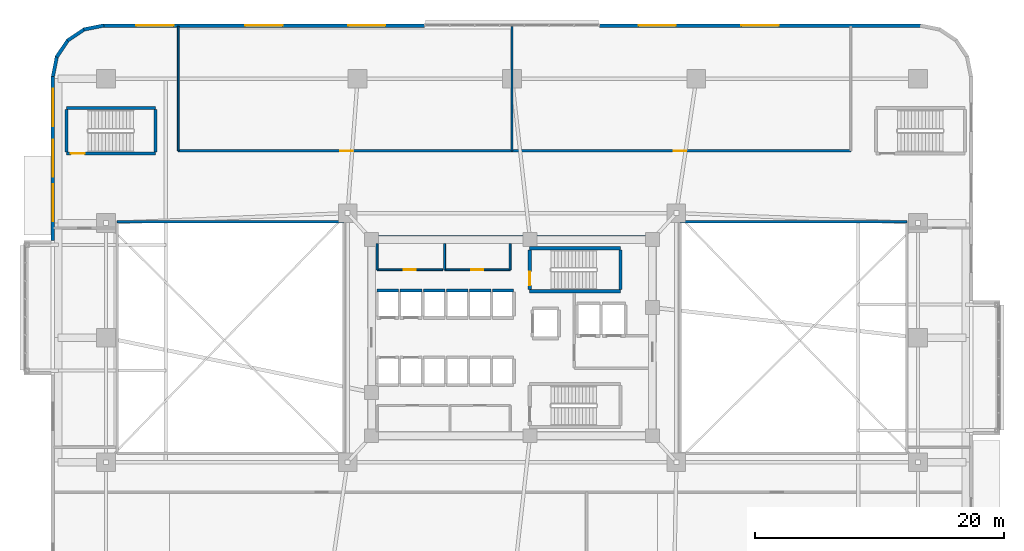
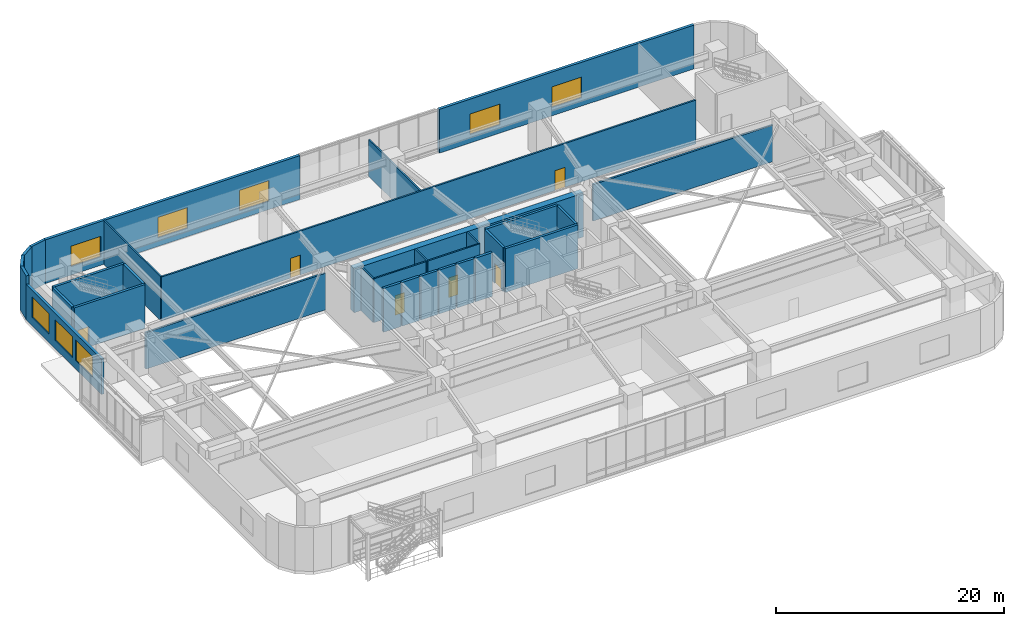
# One storey, part 20 of 26: 32 walls, 8 windows, 6 doors, 14 openings.
"""IFC4 building model written with IfcOpenShell, lengths in metres."""

from ifc_helpers import new_model, si_unit, direction, frame, frame_2d, origin, place, context, subcontext, project, spatial, rectangle, extrude, material, layer, layer_set, type_object, element, fill, save


model = new_model("IFC4")

# Units and contexts
model_context = context("Model", 3, precision=1e-05, world=origin(), true_north=direction((0.0, 1.0)))
body_context = subcontext(model_context, "Body", "Model", "MODEL_VIEW")
ifc_project = project(units=[si_unit("LENGTHUNIT", "METRE"), si_unit("AREAUNIT", "SQUARE_METRE"), si_unit("VOLUMEUNIT", "CUBIC_METRE"), si_unit("PLANEANGLEUNIT", "RADIAN"), si_unit("MASSUNIT", "GRAM", prefix="KILO")], contexts=[model_context])

# Site, building, storey
site_placement = place(None, origin())
site = spatial("IfcSite", under=ifc_project, at=site_placement, CompositionType="ELEMENT")
building_placement = place(site_placement, origin())
building = spatial("IfcBuilding", under=site, at=building_placement, Name="Zulverin Broadcast Headquarters", CompositionType="ELEMENT")
storey_placement = place(building_placement, frame((0.0, 0.0, 15.0)))
storey = spatial("IfcBuildingStorey", under=building, at=storey_placement, Name="L03", CompositionType="ELEMENT", Elevation=15.0)

# Walls
ifc_material_1 = material(Name="Acoustic drywall steel stud", Category="steel")
ifc_layer_1 = layer(ifc_material_1, 0.199951171875, Name="Acoustic drywall steel stud", Category="steel")
ifc_layer_set_1 = layer_set([ifc_layer_1], Name="Acoustic drywall steel stud")
wall_type_1 = type_object("IfcWallType", Name="WL-ACOU-200", PredefinedType="PARTITIONING", material=ifc_layer_set_1)
for number, where, z_axis, x_axis, name in (
    (1, (5.300048828125, 34.5, 0.0), (0.0, 0.0, 1.0), (1.0, 0.0, 0.0), "L03 WEST Studio Void N Wall"),
    (2, (50.5, 34.5, 0.0), (0.0, 0.0, 1.0), (1.0, 0.0, 0.0), "L03 EAST Studio Void N Wall"),
):
    element("IfcWall", number, at=place(storey_placement, frame(where, z_axis=z_axis, x_axis=x_axis)), inside=storey, type_object=wall_type_1, Name=name, PredefinedType="PARTITIONING", context=body_context, shape_type="SweptSolid", body=[
        extrude(rectangle(XDim=18.199951171875, YDim=0.199951171875, at=frame_2d((9.10009765625, 0.0))), origin(), (0.0, 0.0, 1.0), 3.91015625),
    ])
ifc_material_2 = material(Name="Concrete C60/75", Category="concrete")
ifc_layer_2 = layer(ifc_material_2, 0.64990234375, Name="Concrete C60/75", Category="concrete")
ifc_layer_set_2 = layer_set([ifc_layer_2], Name="Concrete C60/75")
wall_type_2 = type_object("IfcWallType", Name="WL-CORE-650", PredefinedType="SHEAR", material=ifc_layer_set_2)
wall_1_placement = place(storey_placement, frame((25.39990234375, 33.074951171875, 0.0), z_axis=(0.0, 0.0, 1.0), x_axis=(1.0, 0.0, 0.0)))
element("IfcWall", 3, at=wall_1_placement, inside=storey, type_object=wall_type_2, Name="L03 Core North Shear Wall", PredefinedType="SHEAR", context=body_context, shape_type="SweptSolid", body=[
    extrude(rectangle(XDim=23.2001953125, YDim=0.64990234375, at=frame_2d((11.60009765625, 0.0))), origin(), (0.0, 0.0, 1.0), 4.679931640625),
])

# Wall, openings, windows
ifc_material_3 = material(Name="Insulated pale-metal clad concrete spandrel C40/50", Category="concrete")
ifc_layer_3 = layer(ifc_material_3, 0.280029296875, Name="Insulated pale-metal clad concrete spandrel C40/50", Category="concrete")
ifc_layer_set_3 = layer_set([ifc_layer_3], Name="Insulated pale-metal clad concrete spandrel C40/50")
wall_type_3 = type_object("IfcWallType", Name="WL-EXT-280", PredefinedType="STANDARD", material=ifc_layer_set_3)
wall_2_placement = place(storey_placement, frame((69.800048828125, 50.260009765625, 0.0), z_axis=(0.0, 0.0, 1.0), x_axis=(-1.0, 0.0, 0.0)))
wall_2 = element("IfcWall", 4, at=wall_2_placement, inside=storey, type_object=wall_type_3, Name="L03 Podium Flank Wall 2-1", PredefinedType="STANDARD", context=body_context, shape_type="SweptSolid", body=[
    extrude(rectangle(XDim=25.761962890625, YDim=0.280029296875, at=frame_2d((12.880859375, 0.0))), origin(), (0.0, 0.0, 1.0), 4.679931640625),
])
opening_1_placement = place(wall_2_placement, frame((11.381103515625, 0.0, 0.89990234375)))
opening_1 = element("IfcOpeningElement", 5, at=opening_1_placement, cuts=wall_2, Name="Opening W-L03-F211", PredefinedType="OPENING", context=body_context, shape_type="SweptSolid", body=[
    extrude(rectangle(XDim=3.0, YDim=2.199951171875, at=frame_2d((1.5, 1.10009765625))), frame((0.0, 0.14990234375, 0.0), z_axis=(0.0, -1.0, 0.0), x_axis=(1.0, 0.0, 0.0)), (0.0, 0.0, 1.0), 0.300048828125),
])
opening_2_placement = place(wall_2_placement, frame((19.635009765625, 0.0, 0.89990234375)))
opening_2 = element("IfcOpeningElement", 6, at=opening_2_placement, cuts=wall_2, Name="Opening W-L03-F212", PredefinedType="OPENING", context=body_context, shape_type="SweptSolid", body=[
    extrude(rectangle(XDim=3.0, YDim=2.199951171875, at=frame_2d((1.5, 1.10009765625))), frame((0.0, 0.14990234375, 0.0), z_axis=(0.0, -1.0, 0.0), x_axis=(1.0, 0.0, 0.0)), (0.0, 0.0, 1.0), 0.300048828125),
])
ifc_material_4 = material(Name="Pale anodized aluminium frame with solar-control low-E double glazing", Category="aluminium")
window_type = type_object("IfcWindowType", Name="WIN-POD-3000", PartitioningType="SINGLE_PANEL", PredefinedType="WINDOW", material=ifc_material_4)
window_1_placement = place(opening_1_placement, origin())
window_1 = element("IfcWindow", 7, at=window_1_placement, inside=storey, type_object=window_type, Name="L03 Podium Flank Window 2-1 1", OverallHeight=2.199951171875, OverallWidth=3.0, PartitioningType="SINGLE_PANEL", PredefinedType="WINDOW", context=body_context, shape_type="SweptSolid", body=[
    extrude(rectangle(XDim=3.0, YDim=2.199951171875, at=frame_2d((1.5, 1.10009765625))), frame((0.0, 0.030029296875, 0.0), z_axis=(0.0, -1.0, 0.0), x_axis=(1.0, 0.0, 0.0)), (0.0, 0.0, 1.0), 0.06005859375),
])
fill(opening_1, window_1)
window_2_placement = place(opening_2_placement, origin())
window_2 = element("IfcWindow", 8, at=window_2_placement, inside=storey, type_object=window_type, Name="L03 Podium Flank Window 2-1 2", OverallHeight=2.199951171875, OverallWidth=3.0, PartitioningType="SINGLE_PANEL", PredefinedType="WINDOW", context=body_context, shape_type="SweptSolid", body=[
    extrude(rectangle(XDim=3.0, YDim=2.199951171875, at=frame_2d((1.5, 1.10009765625))), frame((0.0, 0.030029296875, 0.0), z_axis=(0.0, -1.0, 0.0), x_axis=(1.0, 0.0, 0.0)), (0.0, 0.0, 1.0), 0.06005859375),
])
fill(opening_2, window_2)

wall_3_placement = place(storey_placement, frame((29.9619140625, 50.260009765625, 0.0), z_axis=(0.0, 0.0, 1.0), x_axis=(-1.0, 0.0, 0.0)))
wall_3 = element("IfcWall", 9, at=wall_3_placement, inside=storey, type_object=wall_type_3, Name="L03 Podium Flank Wall 2-2", PredefinedType="STANDARD", context=body_context, shape_type="SweptSolid", body=[
    extrude(rectangle(XDim=25.761962890625, YDim=0.280029296875, at=frame_2d((12.880859375, 0.0))), origin(), (0.0, 0.0, 1.0), 4.679931640625),
])
opening_3_placement = place(wall_3_placement, frame((3.126953125, 0.0, 0.89990234375)))
opening_3 = element("IfcOpeningElement", 10, at=opening_3_placement, cuts=wall_3, Name="Opening W-L03-F221", PredefinedType="OPENING", context=body_context, shape_type="SweptSolid", body=[
    extrude(rectangle(XDim=3.0, YDim=2.199951171875, at=frame_2d((1.5, 1.10009765625))), frame((0.0, 0.14990234375, 0.0), z_axis=(0.0, -1.0, 0.0), x_axis=(1.0, 0.0, 0.0)), (0.0, 0.0, 1.0), 0.300048828125),
])
opening_4_placement = place(wall_3_placement, frame((11.381103515625, 0.0, 0.89990234375)))
opening_4 = element("IfcOpeningElement", 11, at=opening_4_placement, cuts=wall_3, Name="Opening W-L03-F222", PredefinedType="OPENING", context=body_context, shape_type="SweptSolid", body=[
    extrude(rectangle(XDim=3.0, YDim=2.199951171875, at=frame_2d((1.5, 1.10009765625))), frame((0.0, 0.14990234375, 0.0), z_axis=(0.0, -1.0, 0.0), x_axis=(1.0, 0.0, 0.0)), (0.0, 0.0, 1.0), 0.300048828125),
])
opening_5_placement = place(wall_3_placement, frame((20.135009765625, 0.0, 0.89990234375)))
opening_5 = element("IfcOpeningElement", 12, at=opening_5_placement, cuts=wall_3, Name="Opening W-L03-F223", PredefinedType="OPENING", context=body_context, shape_type="SweptSolid", body=[
    extrude(rectangle(XDim=3.0, YDim=2.199951171875, at=frame_2d((1.5, 1.10009765625))), frame((0.0, 0.14990234375, 0.0), z_axis=(0.0, -1.0, 0.0), x_axis=(1.0, 0.0, 0.0)), (0.0, 0.0, 1.0), 0.300048828125),
])
window_3_placement = place(opening_3_placement, origin())
window_3 = element("IfcWindow", 13, at=window_3_placement, inside=storey, type_object=window_type, Name="L03 Podium Flank Window 2-2 1", OverallHeight=2.199951171875, OverallWidth=3.0, PartitioningType="SINGLE_PANEL", PredefinedType="WINDOW", context=body_context, shape_type="SweptSolid", body=[
    extrude(rectangle(XDim=3.0, YDim=2.199951171875, at=frame_2d((1.5, 1.10009765625))), frame((0.0, 0.030029296875, 0.0), z_axis=(0.0, -1.0, 0.0), x_axis=(1.0, 0.0, 0.0)), (0.0, 0.0, 1.0), 0.06005859375),
])
fill(opening_3, window_3)
window_4_placement = place(opening_4_placement, origin())
window_4 = element("IfcWindow", 14, at=window_4_placement, inside=storey, type_object=window_type, Name="L03 Podium Flank Window 2-2 2", OverallHeight=2.199951171875, OverallWidth=3.0, PartitioningType="SINGLE_PANEL", PredefinedType="WINDOW", context=body_context, shape_type="SweptSolid", body=[
    extrude(rectangle(XDim=3.0, YDim=2.199951171875, at=frame_2d((1.5, 1.10009765625))), frame((0.0, 0.030029296875, 0.0), z_axis=(0.0, -1.0, 0.0), x_axis=(1.0, 0.0, 0.0)), (0.0, 0.0, 1.0), 0.06005859375),
])
fill(opening_4, window_4)
window_5_placement = place(opening_5_placement, origin())
window_5 = element("IfcWindow", 15, at=window_5_placement, inside=storey, type_object=window_type, Name="L03 Podium Flank Window 2-2 3", OverallHeight=2.199951171875, OverallWidth=3.0, PartitioningType="SINGLE_PANEL", PredefinedType="WINDOW", context=body_context, shape_type="SweptSolid", body=[
    extrude(rectangle(XDim=3.0, YDim=2.199951171875, at=frame_2d((1.5, 1.10009765625))), frame((0.0, 0.030029296875, 0.0), z_axis=(0.0, -1.0, 0.0), x_axis=(1.0, 0.0, 0.0)), (0.0, 0.0, 1.0), 0.06005859375),
])
fill(opening_5, window_5)

wall_4_placement = place(storey_placement, frame((0.139892578125, 46.199951171875, 0.0), z_axis=(0.0, 0.0, 1.0), x_axis=(0.0, -1.0, 0.0)))
wall_4 = element("IfcWall", 16, at=wall_4_placement, inside=storey, type_object=wall_type_3, Name="L03 Podium Spandrel Wall 3-1", PredefinedType="STANDARD", context=body_context, shape_type="SweptSolid", body=[
    extrude(rectangle(XDim=13.199951171875, YDim=0.280029296875, at=frame_2d((6.60009765625, 0.0))), origin(), (0.0, 0.0, 1.0), 3.780029296875),
])
opening_6_placement = place(wall_4_placement, frame((1.033203125, 0.0, 0.89990234375)))
opening_6 = element("IfcOpeningElement", 17, at=opening_6_placement, cuts=wall_4, Name="Opening W-L03-E3S11", PredefinedType="OPENING", context=body_context, shape_type="SweptSolid", body=[
    extrude(rectangle(XDim=3.0, YDim=2.199951171875, at=frame_2d((1.5, 1.10009765625))), frame((0.0, 0.14990234375, 0.0), z_axis=(0.0, -1.0, 0.0), x_axis=(1.0, 0.0, 0.0)), (0.0, 0.0, 1.0), 0.300048828125),
])
opening_7_placement = place(wall_4_placement, frame((5.10009765625, 0.0, 0.89990234375)))
opening_7 = element("IfcOpeningElement", 18, at=opening_7_placement, cuts=wall_4, Name="Opening W-L03-E3S12", PredefinedType="OPENING", context=body_context, shape_type="SweptSolid", body=[
    extrude(rectangle(XDim=3.0, YDim=2.199951171875, at=frame_2d((1.5, 1.10009765625))), frame((0.0, 0.14990234375, 0.0), z_axis=(0.0, -1.0, 0.0), x_axis=(1.0, 0.0, 0.0)), (0.0, 0.0, 1.0), 0.300048828125),
])
opening_8_placement = place(wall_4_placement, frame((8.666748046875, 0.0, 0.89990234375)))
opening_8 = element("IfcOpeningElement", 19, at=opening_8_placement, cuts=wall_4, Name="Opening W-L03-E3S13", PredefinedType="OPENING", context=body_context, shape_type="SweptSolid", body=[
    extrude(rectangle(XDim=3.0, YDim=2.199951171875, at=frame_2d((1.5, 1.10009765625))), frame((0.0, 0.14990234375, 0.0), z_axis=(0.0, -1.0, 0.0), x_axis=(1.0, 0.0, 0.0)), (0.0, 0.0, 1.0), 0.300048828125),
])
window_6_placement = place(opening_6_placement, origin())
window_6 = element("IfcWindow", 20, at=window_6_placement, inside=storey, type_object=window_type, Name="L03 Podium Ribbon Window 3-1 1", OverallHeight=2.199951171875, OverallWidth=3.0, PartitioningType="SINGLE_PANEL", PredefinedType="WINDOW", context=body_context, shape_type="SweptSolid", body=[
    extrude(rectangle(XDim=3.0, YDim=2.199951171875, at=frame_2d((1.5, 1.10009765625))), frame((0.0, 0.030029296875, 0.0), z_axis=(0.0, -1.0, 0.0), x_axis=(1.0, 0.0, 0.0)), (0.0, 0.0, 1.0), 0.06005859375),
])
fill(opening_6, window_6)
window_7_placement = place(opening_7_placement, origin())
window_7 = element("IfcWindow", 21, at=window_7_placement, inside=storey, type_object=window_type, Name="L03 Podium Ribbon Window 3-1 2", OverallHeight=2.199951171875, OverallWidth=3.0, PartitioningType="SINGLE_PANEL", PredefinedType="WINDOW", context=body_context, shape_type="SweptSolid", body=[
    extrude(rectangle(XDim=3.0, YDim=2.199951171875, at=frame_2d((1.5, 1.10009765625))), frame((0.0, 0.030029296875, 0.0), z_axis=(0.0, -1.0, 0.0), x_axis=(1.0, 0.0, 0.0)), (0.0, 0.0, 1.0), 0.06005859375),
])
fill(opening_7, window_7)
window_8_placement = place(opening_8_placement, origin())
window_8 = element("IfcWindow", 22, at=window_8_placement, inside=storey, type_object=window_type, Name="L03 Podium Ribbon Window 3-1 3", OverallHeight=2.199951171875, OverallWidth=3.0, PartitioningType="SINGLE_PANEL", PredefinedType="WINDOW", context=body_context, shape_type="SweptSolid", body=[
    extrude(rectangle(XDim=3.0, YDim=2.199951171875, at=frame_2d((1.5, 1.10009765625))), frame((0.0, 0.030029296875, 0.0), z_axis=(0.0, -1.0, 0.0), x_axis=(1.0, 0.0, 0.0)), (0.0, 0.0, 1.0), 0.06005859375),
])
fill(opening_8, window_8)

# Walls
wall_5_placement = place(storey_placement, frame((4.227294921875, 50.2626953125, 0.0), z_axis=(0.0, 0.0, 1.0), x_axis=(-0.980797825116, -0.195027244885, 0.0)))
element("IfcWall", 23, at=wall_5_placement, inside=storey, type_object=wall_type_3, Name="L03 Wind-Shaped Corner Spandrel Wall 2-1", PredefinedType="STANDARD", context=body_context, shape_type="SweptSolid", body=[
    extrude(rectangle(XDim=1.638671875, YDim=0.280029296875, at=frame_2d((0.8193359375, 0.0))), origin(), (0.0, 0.0, 1.0), 4.679931640625),
])
wall_6_placement = place(storey_placement, frame((2.67041015625, 49.9638671875, 0.0), z_axis=(0.0, 0.0, 1.0), x_axis=(-0.831430845238, -0.555628247651, 0.0)))
element("IfcWall", 24, at=wall_6_placement, inside=storey, type_object=wall_type_3, Name="L03 Wind-Shaped Corner Spandrel Wall 2-2", PredefinedType="STANDARD", context=body_context, shape_type="SweptSolid", body=[
    extrude(rectangle(XDim=1.638427734375, YDim=0.280029296875, at=frame_2d((0.8193359375, 0.0))), origin(), (0.0, 0.0, 1.0), 4.679931640625),
])
for number, where, z_axis, x_axis, name in (
    (25, (1.3466796875, 49.092041015625, 0.0), (0.0, 0.0, 1.0), (-0.555662407875, -0.831408015643, 0.0), "L03 Wind-Shaped Corner Spandrel Wall 2-3"),
    (26, (0.45703125, 47.780029296875, 0.0), (0.0, 0.0, 1.0), (-0.195142046967, -0.980774990253, 0.0), "L03 Wind-Shaped Corner Spandrel Wall 2-4"),
):
    element("IfcWall", number, at=place(storey_placement, frame(where, z_axis=z_axis, x_axis=x_axis)), inside=storey, type_object=wall_type_3, Name=name, PredefinedType="STANDARD", context=body_context, shape_type="SweptSolid", body=[
        extrude(rectangle(XDim=1.638916015625, YDim=0.280029296875, at=frame_2d((0.8193359375, 0.0))), origin(), (0.0, 0.0, 1.0), 4.679931640625),
    ])

# Wall, opening, door
ifc_material_5 = material(Name="Fire-rated gypsum stud partition", Category="gypsum")
ifc_layer_4 = layer(ifc_material_5, 0.14990234375, Name="Fire-rated gypsum stud partition", Category="gypsum")
ifc_layer_set_4 = layer_set([ifc_layer_4], Name="Fire-rated gypsum stud partition")
wall_type_4 = type_object("IfcWallType", Name="WL-PART-150", PredefinedType="PARTITIONING", material=ifc_layer_set_4)
wall_7_placement = place(storey_placement, frame((26.169921875, 30.64990234375, 0.0), z_axis=(0.0, 0.0, 1.0), x_axis=(1.0, 0.0, 0.0)))
wall_7 = element("IfcWall", 27, at=wall_7_placement, inside=storey, type_object=wall_type_4, Name="L03 Core Male WC Front Wall", PredefinedType="PARTITIONING", context=body_context, shape_type="SweptSolid", body=[
    extrude(rectangle(XDim=5.260009765625, YDim=0.14990234375, at=frame_2d((2.6298828125, 0.0))), origin(), (0.0, 0.0, 1.0), 4.679931640625),
])
opening_9_placement = place(wall_7_placement, frame((2.155029296875, 0.0, 0.0)))
opening_9 = element("IfcOpeningElement", 28, at=opening_9_placement, cuts=wall_7, Name="Opening D-L03-NC1", PredefinedType="OPENING", context=body_context, shape_type="SweptSolid", body=[
    extrude(rectangle(XDim=0.949951171875, YDim=2.10009765625, at=frame_2d((0.47509765625, 1.050048828125))), frame((0.0, 0.0849609375, 0.0), z_axis=(0.0, -1.0, 0.0), x_axis=(1.0, 0.0, 0.0)), (0.0, 0.0, 1.0), 0.169921875),
])
ifc_material_6 = material(Name="Fire-rated moisture-resistant laminate leaf", Category="wood")
door_type_1 = type_object("IfcDoorType", Name="DR-WC-950", OperationType="SINGLE_SWING_LEFT", PredefinedType="DOOR", material=ifc_material_6)
door_1_placement = place(opening_9_placement, origin())
door_1 = element("IfcDoor", 29, at=door_1_placement, inside=storey, type_object=door_type_1, Name="L03 Male WC Door", OperationType="SINGLE_SWING_LEFT", OverallHeight=2.10009765625, OverallWidth=0.949951171875, PredefinedType="DOOR", context=body_context, shape_type="SweptSolid", body=[
    extrude(rectangle(XDim=0.949951171875, YDim=2.10009765625, at=frame_2d((0.47509765625, 1.050048828125))), frame((0.0, 0.02490234375, 0.0), z_axis=(0.0, -1.0, 0.0), x_axis=(1.0, 0.0, 0.0)), (0.0, 0.0, 1.0), 0.050048828125),
])
fill(opening_9, door_1)

# Wall
wall_8_placement = place(storey_placement, frame((26.169921875, 30.64990234375, 0.0), z_axis=(0.0, 0.0, 1.0), x_axis=(0.0, 1.0, 0.0)))
element("IfcWall", 30, at=wall_8_placement, inside=storey, type_object=wall_type_4, Name="L03 Core Male WC West Wall", PredefinedType="PARTITIONING", context=body_context, shape_type="SweptSolid", body=[
    extrude(rectangle(XDim=2.10009765625, YDim=0.14990234375, at=frame_2d((1.050048828125, 0.0))), origin(), (0.0, 0.0, 1.0), 4.679931640625),
])

# Wall, opening, door
wall_9_placement = place(storey_placement, frame((31.590087890625, 30.64990234375, 0.0), z_axis=(0.0, 0.0, 1.0), x_axis=(1.0, 0.0, 0.0)))
wall_9 = element("IfcWall", 31, at=wall_9_placement, inside=storey, type_object=wall_type_4, Name="L03 Core Accessible WC Front Wall", PredefinedType="PARTITIONING", context=body_context, shape_type="SweptSolid", body=[
    extrude(rectangle(XDim=5.260009765625, YDim=0.14990234375, at=frame_2d((2.6298828125, 0.0))), origin(), (0.0, 0.0, 1.0), 4.679931640625),
])
opening_10_placement = place(wall_9_placement, frame((2.155029296875, 0.0, 0.0)))
opening_10 = element("IfcOpeningElement", 32, at=opening_10_placement, cuts=wall_9, Name="Opening D-L03-NC2", PredefinedType="OPENING", context=body_context, shape_type="SweptSolid", body=[
    extrude(rectangle(XDim=0.949951171875, YDim=2.10009765625, at=frame_2d((0.47509765625, 1.050048828125))), frame((0.0, 0.0849609375, 0.0), z_axis=(0.0, -1.0, 0.0), x_axis=(1.0, 0.0, 0.0)), (0.0, 0.0, 1.0), 0.169921875),
])
door_2_placement = place(opening_10_placement, origin())
door_2 = element("IfcDoor", 33, at=door_2_placement, inside=storey, type_object=door_type_1, Name="L03 Accessible WC Door", OperationType="SINGLE_SWING_RIGHT", OverallHeight=2.10009765625, OverallWidth=0.949951171875, PredefinedType="DOOR", context=body_context, shape_type="SweptSolid", body=[
    extrude(rectangle(XDim=0.949951171875, YDim=2.10009765625, at=frame_2d((0.47509765625, 1.050048828125))), frame((0.0, 0.02490234375, 0.0), z_axis=(0.0, -1.0, 0.0), x_axis=(1.0, 0.0, 0.0)), (0.0, 0.0, 1.0), 0.050048828125),
])
fill(opening_10, door_2)

# Walls
for number, where, z_axis, x_axis, name in (
    (34, (31.590087890625, 30.64990234375, 0.0), (0.0, 0.0, 1.0), (0.0, 1.0, 0.0), "L03 Core Accessible WC West Wall"),
    (35, (36.85009765625, 30.64990234375, 0.0), (0.0, 0.0, 1.0), (0.0, 1.0, 0.0), "L03 Core Accessible WC East Wall"),
):
    element("IfcWall", number, at=place(storey_placement, frame(where, z_axis=z_axis, x_axis=x_axis)), inside=storey, type_object=wall_type_4, Name=name, PredefinedType="PARTITIONING", context=body_context, shape_type="SweptSolid", body=[
        extrude(rectangle(XDim=2.10009765625, YDim=0.14990234375, at=frame_2d((1.050048828125, 0.0))), origin(), (0.0, 0.0, 1.0), 4.679931640625),
    ])
wall_10_placement = place(storey_placement, frame((37.0, 40.199951171875, 0.0), z_axis=(0.0, 0.0, 1.0), x_axis=(0.0, 1.0, 0.0)))
element("IfcWall", 36, at=wall_10_placement, inside=storey, type_object=wall_type_4, Name="L03 Room Partition Wall RP-04", PredefinedType="PARTITIONING", context=body_context, shape_type="SweptSolid", body=[
    extrude(rectangle(XDim=9.9951171875, YDim=0.14990234375, at=frame_2d((4.99755859375, 0.0))), origin(), (0.0, 0.0, 1.0), 3.91015625),
])
wall_11_placement = place(storey_placement, frame((10.199951171875, 40.199951171875, 0.0), z_axis=(0.0, 0.0, 1.0), x_axis=(0.0, 1.0, 0.0)))
element("IfcWall", 37, at=wall_11_placement, inside=storey, type_object=wall_type_4, Name="L03 Gallery Partition Wall CG-05", PredefinedType="PARTITIONING", context=body_context, shape_type="SweptSolid", body=[
    extrude(rectangle(XDim=9.9951171875, YDim=0.14990234375, at=frame_2d((4.99755859375, 0.0))), origin(), (0.0, 0.0, 1.0), 4.679931640625),
])

# Wall, openings, doors
ifc_material_7 = material(Name="Fire-rated acoustic stud wall", Category="gypsum")
ifc_layer_5 = layer(ifc_material_7, 0.175048828125, Name="Fire-rated acoustic stud wall", Category="gypsum")
ifc_layer_set_5 = layer_set([ifc_layer_5], Name="Fire-rated acoustic stud wall")
wall_type_5 = type_object("IfcWallType", Name="WL-PART-175", PredefinedType="PARTITIONING", material=ifc_layer_set_5)
wall_12_placement = place(storey_placement, frame((10.199951171875, 40.199951171875, 0.0), z_axis=(0.0, 0.0, 1.0), x_axis=(1.0, 0.0, 0.0)))
wall_12 = element("IfcWall", 38, at=wall_12_placement, inside=storey, type_object=wall_type_5, Name="L03 Gallery Partition Wall CG-12", PredefinedType="PARTITIONING", context=body_context, shape_type="SweptSolid", body=[
    extrude(rectangle(XDim=54.0, YDim=0.175048828125, at=frame_2d((27.0, 0.0))), origin(), (0.0, 0.0, 1.0), 4.679931640625),
])
opening_11_placement = place(wall_12_placement, frame((13.02001953125, 0.0, 0.0)))
opening_11 = element("IfcOpeningElement", 39, at=opening_11_placement, cuts=wall_12, Name="Opening D-L03-NORTH1", PredefinedType="OPENING", context=body_context, shape_type="SweptSolid", body=[
    extrude(rectangle(XDim=1.0, YDim=2.1201171875, at=frame_2d((0.5, 1.06005859375))), frame((0.0, 0.097412109375, 0.0), z_axis=(0.0, -1.0, 0.0), x_axis=(1.0, 0.0, 0.0)), (0.0, 0.0, 1.0), 0.195068359375),
])
opening_12_placement = place(wall_12_placement, frame((39.780029296875, 0.0, 0.0)))
opening_12 = element("IfcOpeningElement", 40, at=opening_12_placement, cuts=wall_12, Name="Opening D-L03-NORTH2", PredefinedType="OPENING", context=body_context, shape_type="SweptSolid", body=[
    extrude(rectangle(XDim=1.0, YDim=2.1201171875, at=frame_2d((0.5, 1.06005859375))), frame((0.0, 0.097412109375, 0.0), z_axis=(0.0, -1.0, 0.0), x_axis=(1.0, 0.0, 0.0)), (0.0, 0.0, 1.0), 0.195068359375),
])
ifc_material_8 = material(Name="Hardwood veneer acoustic leaf", Category="wood")
door_type_2 = type_object("IfcDoorType", Name="DR-OFF-1000", OperationType="SINGLE_SWING_LEFT", PredefinedType="DOOR", material=ifc_material_8)
door_3_placement = place(opening_11_placement, origin())
door_3 = element("IfcDoor", 41, at=door_3_placement, inside=storey, type_object=door_type_2, Name="L03 Newsroom Editorial Open Workplace Door", OperationType="SINGLE_SWING_LEFT", OverallHeight=2.1201171875, OverallWidth=1.0, PredefinedType="DOOR", context=body_context, shape_type="SweptSolid", body=[
    extrude(rectangle(XDim=1.0, YDim=2.1201171875, at=frame_2d((0.5, 1.06005859375))), frame((0.0, 0.02490234375, 0.0), z_axis=(0.0, -1.0, 0.0), x_axis=(1.0, 0.0, 0.0)), (0.0, 0.0, 1.0), 0.050048828125),
])
fill(opening_11, door_3)
door_4_placement = place(opening_12_placement, origin())
door_4 = element("IfcDoor", 42, at=door_4_placement, inside=storey, type_object=door_type_2, Name="L03 Broadcast Graphics & Media Lab Door", OperationType="SINGLE_SWING_RIGHT", OverallHeight=2.1201171875, OverallWidth=1.0, PredefinedType="DOOR", context=body_context, shape_type="SweptSolid", body=[
    extrude(rectangle(XDim=1.0, YDim=2.1201171875, at=frame_2d((0.5, 1.06005859375))), frame((0.0, 0.02490234375, 0.0), z_axis=(0.0, -1.0, 0.0), x_axis=(1.0, 0.0, 0.0)), (0.0, 0.0, 1.0), 0.050048828125),
])
fill(opening_12, door_4)

# Walls
ifc_material_9 = material(Name="Concrete C50/60", Category="concrete")
ifc_layer_6 = layer(ifc_material_9, 0.25, Name="Concrete C50/60", Category="concrete")
ifc_layer_set_6 = layer_set([ifc_layer_6], Name="Concrete C50/60")
wall_type_6 = type_object("IfcWallType", Name="WL-SHAFT-250", PredefinedType="SHEAR", material=ifc_layer_set_6)
for number, where, z_axis, x_axis, name in (
    (43, (38.425048828125, 28.925048828125, 0.0), (0.0, 0.0, 1.0), (1.0, 0.0, 0.0), "L03 ST-1 Enclosure Wall S"),
    (44, (38.425048828125, 32.375, 0.0), (0.0, 0.0, 1.0), (1.0, 0.0, 0.0), "L03 ST-1 Enclosure Wall N"),
):
    element("IfcWall", number, at=place(storey_placement, frame(where, z_axis=z_axis, x_axis=x_axis)), inside=storey, type_object=wall_type_6, Name=name, PredefinedType="SHEAR", context=body_context, shape_type="SweptSolid", body=[
        extrude(rectangle(XDim=7.300048828125, YDim=0.25, at=frame_2d((3.64990234375, 0.0))), origin(), (0.0, 0.0, 1.0), 4.679931640625),
    ])

# Wall, opening, door
wall_13_placement = place(storey_placement, frame((38.425048828125, 29.050048828125, 0.0), z_axis=(0.0, 0.0, 1.0), x_axis=(0.0, 1.0, 0.0)))
wall_13 = element("IfcWall", 45, at=wall_13_placement, inside=storey, type_object=wall_type_6, Name="L03 ST-1 Enclosure Wall W", PredefinedType="SHEAR", context=body_context, shape_type="SweptSolid", body=[
    extrude(rectangle(XDim=3.199951171875, YDim=0.25, at=frame_2d((1.60009765625, 0.0))), origin(), (0.0, 0.0, 1.0), 4.679931640625),
])
opening_13_placement = place(wall_13_placement, frame((0.35009765625, 0.0, 0.0)))
opening_13 = element("IfcOpeningElement", 46, at=opening_13_placement, cuts=wall_13, Name="Opening D-L03-ST-1", PredefinedType="OPENING", context=body_context, shape_type="SweptSolid", body=[
    extrude(rectangle(XDim=1.10009765625, YDim=2.14990234375, at=frame_2d((0.550048828125, 1.074951171875))), frame((0.0, 0.135009765625, 0.0), z_axis=(0.0, -1.0, 0.0), x_axis=(1.0, 0.0, 0.0)), (0.0, 0.0, 1.0), 0.27001953125),
])
ifc_material_10 = material(Name="Fire-rated steel leaf and frame", Category="steel")
door_type_3 = type_object("IfcDoorType", Name="DR-STAIR-1100", OperationType="SINGLE_SWING_LEFT", PredefinedType="DOOR", material=ifc_material_10)
door_5_placement = place(opening_13_placement, origin())
door_5 = element("IfcDoor", 47, at=door_5_placement, inside=storey, type_object=door_type_3, Name="L03 Exit Stair ST-1 Fire Door", OperationType="SINGLE_SWING_LEFT", OverallHeight=2.14990234375, OverallWidth=1.10009765625, PredefinedType="DOOR", context=body_context, shape_type="SweptSolid", body=[
    extrude(rectangle(XDim=1.10009765625, YDim=2.14990234375, at=frame_2d((0.550048828125, 1.074951171875))), frame((0.0, 0.02490234375, 0.0), z_axis=(0.0, -1.0, 0.0), x_axis=(1.0, 0.0, 0.0)), (0.0, 0.0, 1.0), 0.050048828125),
])
fill(opening_13, door_5)

# Wall
wall_14_placement = place(storey_placement, frame((45.72509765625, 29.050048828125, 0.0), z_axis=(0.0, 0.0, 1.0), x_axis=(0.0, 1.0, 0.0)))
element("IfcWall", 48, at=wall_14_placement, inside=storey, type_object=wall_type_6, Name="L03 ST-1 Enclosure Wall E", PredefinedType="SHEAR", context=body_context, shape_type="SweptSolid", body=[
    extrude(rectangle(XDim=3.199951171875, YDim=0.25, at=frame_2d((1.60009765625, 0.0))), origin(), (0.0, 0.0, 1.0), 4.679931640625),
])

# Wall, opening, door
wall_15_placement = place(storey_placement, frame((1.22509765625, 39.97509765625, 0.0), z_axis=(0.0, 0.0, 1.0), x_axis=(1.0, 0.0, 0.0)))
wall_15 = element("IfcWall", 49, at=wall_15_placement, inside=storey, type_object=wall_type_6, Name="L03 ST-3 Enclosure Wall S", PredefinedType="SHEAR", context=body_context, shape_type="SweptSolid", body=[
    extrude(rectangle(XDim=7.14990234375, YDim=0.25, at=frame_2d((3.574951171875, 0.0))), origin(), (0.0, 0.0, 1.0), 4.679931640625),
])
opening_14_placement = place(wall_15_placement, frame((0.35009765625, 0.0, 0.0)))
opening_14 = element("IfcOpeningElement", 50, at=opening_14_placement, cuts=wall_15, Name="Opening D-L03-ST-3", PredefinedType="OPENING", context=body_context, shape_type="SweptSolid", body=[
    extrude(rectangle(XDim=1.10009765625, YDim=2.14990234375, at=frame_2d((0.550048828125, 1.074951171875))), frame((0.0, 0.135009765625, 0.0), z_axis=(0.0, -1.0, 0.0), x_axis=(1.0, 0.0, 0.0)), (0.0, 0.0, 1.0), 0.27001953125),
])
door_6_placement = place(opening_14_placement, origin())
door_6 = element("IfcDoor", 51, at=door_6_placement, inside=storey, type_object=door_type_3, Name="L03 Exit Stair ST-3 Fire Door", OperationType="SINGLE_SWING_LEFT", OverallHeight=2.14990234375, OverallWidth=1.10009765625, PredefinedType="DOOR", context=body_context, shape_type="SweptSolid", body=[
    extrude(rectangle(XDim=1.10009765625, YDim=2.14990234375, at=frame_2d((0.550048828125, 1.074951171875))), frame((0.0, 0.02490234375, 0.0), z_axis=(0.0, -1.0, 0.0), x_axis=(1.0, 0.0, 0.0)), (0.0, 0.0, 1.0), 0.050048828125),
])
fill(opening_14, door_6)

# Walls
wall_16_placement = place(storey_placement, frame((1.22509765625, 43.625, 0.0), z_axis=(0.0, 0.0, 1.0), x_axis=(1.0, 0.0, 0.0)))
element("IfcWall", 52, at=wall_16_placement, inside=storey, type_object=wall_type_6, Name="L03 ST-3 Enclosure Wall N", PredefinedType="SHEAR", context=body_context, shape_type="SweptSolid", body=[
    extrude(rectangle(XDim=7.14990234375, YDim=0.25, at=frame_2d((3.574951171875, 0.0))), origin(), (0.0, 0.0, 1.0), 4.679931640625),
])
for number, where, z_axis, x_axis, name in (
    (53, (1.22509765625, 40.10009765625, 0.0), (0.0, 0.0, 1.0), (0.0, 1.0, 0.0), "L03 ST-3 Enclosure Wall W"),
    (54, (8.375, 40.10009765625, 0.0), (0.0, 0.0, 1.0), (0.0, 1.0, 0.0), "L03 ST-3 Enclosure Wall E"),
):
    element("IfcWall", number, at=place(storey_placement, frame(where, z_axis=z_axis, x_axis=x_axis)), inside=storey, type_object=wall_type_6, Name=name, PredefinedType="SHEAR", context=body_context, shape_type="SweptSolid", body=[
        extrude(rectangle(XDim=3.39990234375, YDim=0.25, at=frame_2d((1.699951171875, 0.0))), origin(), (0.0, 0.0, 1.0), 4.679931640625),
    ])
for number, where, z_axis, x_axis, name in (
    (55, (26.14990234375, 29.0, 0.0), (0.0, 0.0, 1.0), (1.0, 0.0, 0.0), "L03 Lift PL-L1 Shaft Wall N"),
    (56, (28.02001953125, 29.0, 0.0), (0.0, 0.0, 1.0), (1.0, 0.0, 0.0), "L03 Lift PL-L2 Shaft Wall N"),
):
    element("IfcWall", number, at=place(storey_placement, frame(where, z_axis=z_axis, x_axis=x_axis)), inside=storey, type_object=wall_type_6, Name=name, PredefinedType="SHEAR", context=body_context, shape_type="SweptSolid", body=[
        extrude(rectangle(XDim=1.75, YDim=0.25, at=frame_2d((0.875, 0.0))), origin(), (0.0, 0.0, 1.0), 4.679931640625),
    ])
wall_17_placement = place(storey_placement, frame((29.89990234375, 29.0, 0.0), z_axis=(0.0, 0.0, 1.0), x_axis=(1.0, 0.0, 0.0)))
element("IfcWall", 57, at=wall_17_placement, inside=storey, type_object=wall_type_6, Name="L03 Lift PL-H1 Shaft Wall N", PredefinedType="SHEAR", context=body_context, shape_type="SweptSolid", body=[
    extrude(rectangle(XDim=1.72021484375, YDim=0.25, at=frame_2d((0.860107421875, 0.0))), origin(), (0.0, 0.0, 1.0), 4.679931640625),
])
for number, where, z_axis, x_axis, name in (
    (58, (31.739990234375, 29.0, 0.0), (0.0, 0.0, 1.0), (1.0, 0.0, 0.0), "L03 Lift PL-H2 Shaft Wall N"),
    (59, (33.580078125, 29.0, 0.0), (0.0, 0.0, 1.0), (1.0, 0.0, 0.0), "L03 Lift PL-H3 Shaft Wall N"),
    (60, (35.419921875, 29.0, 0.0), (0.0, 0.0, 1.0), (1.0, 0.0, 0.0), "L03 Lift PL-H4 Shaft Wall N"),
):
    element("IfcWall", number, at=place(storey_placement, frame(where, z_axis=z_axis, x_axis=x_axis)), inside=storey, type_object=wall_type_6, Name=name, PredefinedType="SHEAR", context=body_context, shape_type="SweptSolid", body=[
        extrude(rectangle(XDim=1.719970703125, YDim=0.25, at=frame_2d((0.85986328125, 0.0))), origin(), (0.0, 0.0, 1.0), 4.679931640625),
    ])

save(model, "model.ifc")
